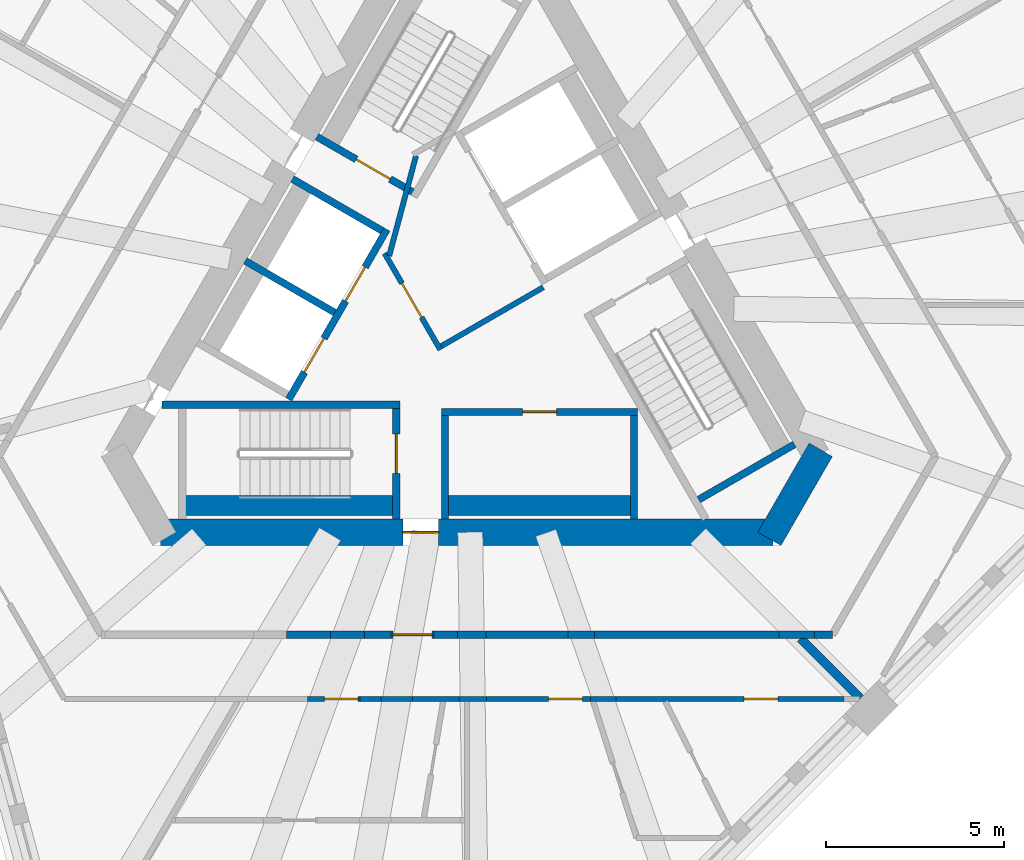
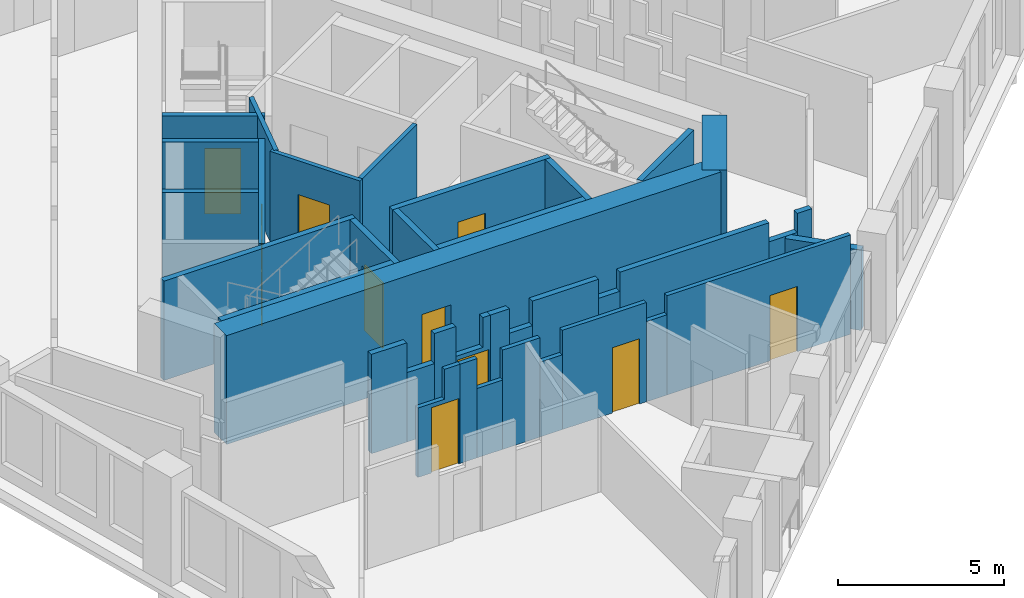
# One storey, part 4 of 13: 37 walls, 11 doors, 11 openings.
"""IFC4 building model written with IfcOpenShell, lengths in metres."""

from ifc_helpers import new_model, si_unit, direction, frame, frame_2d, origin, place, context, subcontext, project, spatial, polyline, rectangle, outline, extrude, material, layer, layer_set, type_object, element, fill, save


model = new_model("IFC4")

# Units and contexts
model_context = context("Model", 3, precision=1e-05, world=origin(), true_north=direction((0.0, 1.0)))
body_context = subcontext(model_context, "Body", "Model", "MODEL_VIEW")
ifc_project = project(units=[si_unit("LENGTHUNIT", "METRE"), si_unit("AREAUNIT", "SQUARE_METRE"), si_unit("VOLUMEUNIT", "CUBIC_METRE"), si_unit("PLANEANGLEUNIT", "RADIAN"), si_unit("MASSUNIT", "GRAM", prefix="KILO")], contexts=[model_context])

# Site, building, storey
site_placement = place(None, origin())
site = spatial("IfcSite", under=ifc_project, at=site_placement, CompositionType="ELEMENT")
building_placement = place(site_placement, origin())
building = spatial("IfcBuilding", under=site, at=building_placement, Name="Tramontana Tower", CompositionType="ELEMENT")
storey_placement = place(building_placement, frame((0.0, 0.0, 204.0)))
storey = spatial("IfcBuildingStorey", under=building, at=storey_placement, Name="L47", CompositionType="ELEMENT", Elevation=204.0)

# Wall, opening, door
ifc_material_1 = material(Name="Concrete 70 MPa", Category="concrete")
ifc_layer_1 = layer(ifc_material_1, 0.75)
ifc_layer_set_1 = layer_set([ifc_layer_1], Name="Core wall 750 70 MPa")
wall_type_1 = type_object("IfcWallType", Name="Core wall 750 70 MPa", PredefinedType="SHEAR", material=ifc_layer_set_1)
wall_1_placement = place(storey_placement, frame((-8.588134765625, -6.375, 0.0), z_axis=(0.0, 0.0, 1.0), x_axis=(1.0, 0.0, 0.0)))
wall_1 = element("IfcWall", 1, at=wall_1_placement, inside=storey, type_object=wall_type_1, Name="Core wall C3 L47", PredefinedType="SHEAR", context=body_context, shape_type="SweptSolid", body=[
    extrude(rectangle(XDim=17.17626953125, YDim=0.75, at=frame_2d((8.588134765625, 0.0))), origin(), (0.0, 0.0, 1.0), 4.0),
])
opening_1_placement = place(wall_1_placement, frame((6.793212890625, 0.0, 0.0)))
opening_1 = element("IfcOpeningElement", 2, at=opening_1_placement, cuts=wall_1, Name="Opening RG2", PredefinedType="OPENING", context=body_context, shape_type="SweptSolid", body=[
    extrude(rectangle(XDim=1.0, YDim=2.39990234375, at=frame_2d((0.5, 1.199951171875))), frame((0.0, 0.385009765625, 0.0), z_axis=(0.0, -1.0, 0.0), x_axis=(1.0, 0.0, 0.0)), (0.0, 0.0, 1.0), 0.77001953125),
])
ifc_material_2 = material(Name="Painted steel", Category="steel")
door_type_1 = type_object("IfcDoorType", Name="RING DOOR 1000", OperationType="SINGLE_SWING_LEFT", PredefinedType="DOOR", material=ifc_material_2)
door_1_placement = place(opening_1_placement, origin())
door_1 = element("IfcDoor", 3, at=door_1_placement, inside=storey, type_object=door_type_1, Name="Door RG2", OperationType="SINGLE_SWING_RIGHT", OverallHeight=2.39990234375, OverallWidth=1.0, PredefinedType="DOOR", context=body_context, shape_type="SweptSolid", body=[
    extrude(rectangle(XDim=1.0, YDim=2.39990234375, at=frame_2d((0.5, 1.199951171875))), frame((0.0, 0.02490234375, 0.0), z_axis=(0.0, -1.0, 0.0), x_axis=(1.0, 0.0, 0.0)), (0.0, 0.0, 1.0), 0.050048828125),
])
fill(opening_1, door_1)

# Walls
wall_2_placement = place(storey_placement, frame((8.479736328125, -6.5625, 0.0), z_axis=(0.0, 0.0, 1.0), x_axis=(0.499995765644, 0.866027848477, 0.0)))
element("IfcWall", 4, at=wall_2_placement, inside=storey, type_object=wall_type_1, Name="Core wall C4 L47", PredefinedType="SHEAR", context=body_context, shape_type="SweptSolid", body=[
    extrude(rectangle(XDim=2.88671875, YDim=0.75, at=frame_2d((1.443359375, 0.0))), origin(), (0.0, 0.0, 1.0), 4.0),
])
ifc_material_3 = material(Name="Blockwork", Category="masonry")
ifc_layer_2 = layer(ifc_material_3, 0.199951171875)
ifc_layer_set_2 = layer_set([ifc_layer_2], Name="ENTRY WALL 200")
wall_type_2 = type_object("IfcWallType", Name="ENTRY WALL 200", PredefinedType="SOLIDWALL", material=ifc_layer_set_2)
wall_3_placement = place(storey_placement, frame((10.248046875, -9.25, 0.0), z_axis=(0.0, 0.0, 1.0), x_axis=(-1.0, 0.0, 0.0)))
element("IfcWall", 5, at=wall_3_placement, inside=storey, type_object=wall_type_2, Name="Wall v50-ew2-0", PredefinedType="SOLIDWALL", context=body_context, shape_type="SweptSolid", body=[
    extrude(rectangle(XDim=0.503173828125, YDim=0.199951171875, at=frame_2d((0.25146484375, 0.0))), origin(), (0.0, 0.0, 1.0), 3.64990234375),
])
wall_4_placement = place(storey_placement, frame((9.744873046875, -9.25, 0.0), z_axis=(0.0, 0.0, 1.0), x_axis=(-1.0, 0.0, 0.0)))
element("IfcWall", 6, at=wall_4_placement, inside=storey, type_object=wall_type_2, Name="Wall v50-ew2-1", PredefinedType="SOLIDWALL", context=body_context, shape_type="SweptSolid", body=[
    extrude(rectangle(XDim=0.98974609375, YDim=0.199951171875, at=frame_2d((0.494873046875, 0.0))), origin(), (0.0, 0.0, 1.0), 2.949951171875),
])
wall_5_placement = place(storey_placement, frame((8.755126953125, -9.25, 0.0), z_axis=(0.0, 0.0, 1.0), x_axis=(-1.0, 0.0, 0.0)))
element("IfcWall", 7, at=wall_5_placement, inside=storey, type_object=wall_type_2, Name="Wall v50-ew2-2", PredefinedType="SOLIDWALL", context=body_context, shape_type="SweptSolid", body=[
    extrude(rectangle(XDim=5.18212890625, YDim=0.199951171875, at=frame_2d((2.591064453125, 0.0))), origin(), (0.0, 0.0, 1.0), 3.64990234375),
])
wall_6_placement = place(storey_placement, frame((3.572998046875, -9.25, 0.0), z_axis=(0.0, 0.0, 1.0), x_axis=(-1.0, 0.0, 0.0)))
element("IfcWall", 8, at=wall_6_placement, inside=storey, type_object=wall_type_2, Name="Wall v50-ew2-3", PredefinedType="SOLIDWALL", context=body_context, shape_type="SweptSolid", body=[
    extrude(rectangle(XDim=0.74072265625, YDim=0.199951171875, at=frame_2d((0.370361328125, 0.0))), origin(), (0.0, 0.0, 1.0), 2.949951171875),
])
wall_7_placement = place(storey_placement, frame((2.832275390625, -9.25, 0.0), z_axis=(0.0, 0.0, 1.0), x_axis=(-1.0, 0.0, 0.0)))
element("IfcWall", 9, at=wall_7_placement, inside=storey, type_object=wall_type_2, Name="Wall v50-ew2-4", PredefinedType="SOLIDWALL", context=body_context, shape_type="SweptSolid", body=[
    extrude(rectangle(XDim=2.29736328125, YDim=0.199951171875, at=frame_2d((1.148681640625, 0.0))), origin(), (0.0, 0.0, 1.0), 3.64990234375),
])
wall_8_placement = place(storey_placement, frame((0.534912109375, -9.25, 0.0), z_axis=(0.0, 0.0, 1.0), x_axis=(-1.0, 0.0, 0.0)))
element("IfcWall", 10, at=wall_8_placement, inside=storey, type_object=wall_type_2, Name="Wall v50-ew2-5", PredefinedType="SOLIDWALL", context=body_context, shape_type="SweptSolid", body=[
    extrude(rectangle(XDim=0.800048828125, YDim=0.199951171875, at=frame_2d((0.39990234375, 0.0))), origin(), (0.0, 0.0, 1.0), 2.75),
])
wall_9_placement = place(storey_placement, frame((-0.26513671875, -9.25, 0.0), z_axis=(0.0, 0.0, 1.0), x_axis=(-1.0, 0.0, 0.0)))
element("IfcWall", 11, at=wall_9_placement, inside=storey, type_object=wall_type_2, Name="Wall v50-ew2-6", PredefinedType="SOLIDWALL", context=body_context, shape_type="SweptSolid", body=[
    extrude(rectangle(XDim=0.656982421875, YDim=0.199951171875, at=frame_2d((0.32861328125, 0.0))), origin(), (0.0, 0.0, 1.0), 3.64990234375),
])

# Wall, opening, door
wall_10_placement = place(storey_placement, frame((-2.1220703125, -9.25, 0.0), z_axis=(0.0, 0.0, 1.0), x_axis=(1.0, 0.0, 0.0)))
wall_10 = element("IfcWall", 12, at=wall_10_placement, inside=storey, type_object=wall_type_2, Name="Wall v50-ew2-7", PredefinedType="SOLIDWALL", context=body_context, shape_type="SweptSolid", body=[
    extrude(outline(polyline([(0.0, 0.0), (1.199951171875, 0.0), (1.199951171875, 3.64990234375), (0.933349609375, 3.64990234375), (0.933349609375, 2.550048828125), (0.0, 2.550048828125), (0.0, 0.0)])), frame((0.0, 0.10009765625, 0.0), z_axis=(0.0, -1.0, 0.0), x_axis=(1.0, 0.0, 0.0)), (0.0, 0.0, 1.0), 0.199951171875),
])
opening_2_placement = place(wall_10_placement, frame((0.050048828125, 0.0, 0.0)))
opening_2 = element("IfcOpeningElement", 13, at=opening_2_placement, cuts=wall_10, Name="Opening B5A-23", PredefinedType="OPENING", context=body_context, shape_type="SweptSolid", body=[
    extrude(rectangle(XDim=1.10009765625, YDim=2.39990234375, at=frame_2d((0.550048828125, 1.199951171875))), frame((0.0, 0.10986328125, 0.0), z_axis=(0.0, -1.0, 0.0), x_axis=(1.0, 0.0, 0.0)), (0.0, 0.0, 1.0), 0.219970703125),
])
ifc_material_4 = material(Name="Painted timber", Category="wood")
door_type_2 = type_object("IfcDoorType", Name="DOOR ENTRY 1100", OperationType="SINGLE_SWING_LEFT", PredefinedType="DOOR", material=ifc_material_4)
door_2_placement = place(opening_2_placement, origin())
door_2 = element("IfcDoor", 14, at=door_2_placement, inside=storey, type_object=door_type_2, Name="Door B5A-23", OperationType="SINGLE_SWING_LEFT", OverallHeight=2.39990234375, OverallWidth=1.10009765625, PredefinedType="DOOR", context=body_context, shape_type="SweptSolid", body=[
    extrude(rectangle(XDim=1.10009765625, YDim=2.39990234375, at=frame_2d((0.550048828125, 1.199951171875))), frame((0.0, 0.02490234375, 0.0), z_axis=(0.0, -1.0, 0.0), x_axis=(1.0, 0.0, 0.0)), (0.0, 0.0, 1.0), 0.050048828125),
])
fill(opening_2, door_2)

# Walls
wall_11_placement = place(storey_placement, frame((-2.1220703125, -9.25, 0.0), z_axis=(0.0, 0.0, 1.0), x_axis=(-1.0, 0.0, 0.0)))
element("IfcWall", 15, at=wall_11_placement, inside=storey, type_object=wall_type_2, Name="Wall v50-ew2-8", PredefinedType="SOLIDWALL", context=body_context, shape_type="SweptSolid", body=[
    extrude(rectangle(XDim=0.749755859375, YDim=0.199951171875, at=frame_2d((0.375, 0.0))), origin(), (0.0, 0.0, 1.0), 3.64990234375),
])
wall_12_placement = place(storey_placement, frame((-2.871826171875, -9.25, 0.0), z_axis=(0.0, 0.0, 1.0), x_axis=(-1.0, 0.0, 0.0)))
element("IfcWall", 16, at=wall_12_placement, inside=storey, type_object=wall_type_2, Name="Wall v50-ew2-9", PredefinedType="SOLIDWALL", context=body_context, shape_type="SweptSolid", body=[
    extrude(rectangle(XDim=0.957275390625, YDim=0.199951171875, at=frame_2d((0.478515625, 0.0))), origin(), (0.0, 0.0, 1.0), 2.550048828125),
])
wall_13_placement = place(storey_placement, frame((-3.8291015625, -9.25, 0.0), z_axis=(0.0, 0.0, 1.0), x_axis=(-1.0, 0.0, 0.0)))
element("IfcWall", 17, at=wall_13_placement, inside=storey, type_object=wall_type_2, Name="Wall v50-ew2-10", PredefinedType="SOLIDWALL", context=body_context, shape_type="SweptSolid", body=[
    extrude(rectangle(XDim=1.22705078125, YDim=0.199951171875, at=frame_2d((0.613525390625, 0.0))), origin(), (0.0, 0.0, 1.0), 3.64990234375),
])

# Wall, opening, door
ifc_material_5 = material(Name="Gypsum board partition")
ifc_layer_3 = layer(ifc_material_5, 0.14990234375)
ifc_layer_set_3 = layer_set([ifc_layer_3], Name="PARTITION 150")
wall_type_3 = type_object("IfcWallType", Name="PARTITION 150", PredefinedType="PARTITIONING", material=ifc_layer_set_3)
wall_14_placement = place(storey_placement, frame((-0.744140625, -1.260986328125, 0.0), z_axis=(0.0, 0.0, 1.0), x_axis=(-0.500004234368, 0.866022959057, 0.0)))
wall_14 = element("IfcWall", 18, at=wall_14_placement, inside=storey, type_object=wall_type_3, Name="Wall ff-front", PredefinedType="PARTITIONING", context=body_context, shape_type="SweptSolid", body=[
    extrude(rectangle(XDim=3.125, YDim=0.14990234375, at=frame_2d((1.5625, 0.0))), origin(), (0.0, 0.0, 1.0), 3.64990234375),
])
opening_3_placement = place(wall_14_placement, frame((1.050048828125, 0.0, 0.0)))
opening_3 = element("IfcOpeningElement", 19, at=opening_3_placement, cuts=wall_14, Name="Opening FD1", PredefinedType="OPENING", context=body_context, shape_type="SweptSolid", body=[
    extrude(rectangle(XDim=1.10009765625, YDim=2.39990234375, at=frame_2d((0.550048828125, 1.199951171875))), frame((0.0, 0.0849609375, 0.0), z_axis=(0.0, -1.0, 0.0), x_axis=(1.0, 0.0, 0.0)), (0.0, 0.0, 1.0), 0.169921875),
])
door_3_placement = place(opening_3_placement, origin())
door_3 = element("IfcDoor", 20, at=door_3_placement, inside=storey, type_object=door_type_2, Name="Door FD1", OperationType="SINGLE_SWING_RIGHT", OverallHeight=2.39990234375, OverallWidth=1.10009765625, PredefinedType="DOOR", context=body_context, shape_type="SweptSolid", body=[
    extrude(rectangle(XDim=1.10009765625, YDim=2.39990234375, at=frame_2d((0.550048828125, 1.199951171875))), frame((0.0, 0.02490234375, 0.0), z_axis=(0.0, -1.0, 0.0), x_axis=(1.0, 0.0, 0.0)), (0.0, 0.0, 1.0), 0.050048828125),
])
fill(opening_3, door_3)

# Walls
wall_15_placement = place(storey_placement, frame((-0.716796875, -1.15869140625, 0.0), z_axis=(0.0, 0.0, 1.0), x_axis=(0.866008176907, 0.50002983664, 0.0)))
element("IfcWall", 21, at=wall_15_placement, inside=storey, type_object=wall_type_3, Name="Wall ff-end0", PredefinedType="PARTITIONING", context=body_context, shape_type="SweptSolid", body=[
    extrude(rectangle(XDim=3.300048828125, YDim=0.14990234375, at=frame_2d((1.64990234375, 0.0))), origin(), (0.0, 0.0, 1.0), 3.64990234375),
])
wall_16_placement = place(storey_placement, frame((-2.177978515625, 1.372314453125, 0.0), z_axis=(0.0, 0.0, 1.0), x_axis=(0.258808958833, 0.96592852884, 0.0)))
element("IfcWall", 22, at=wall_16_placement, inside=storey, type_object=wall_type_3, Name="Wall ff-diag", PredefinedType="PARTITIONING", context=body_context, shape_type="SweptSolid", body=[
    extrude(rectangle(XDim=2.902587890625, YDim=0.14990234375, at=frame_2d((1.451171875, 0.0))), origin(), (0.0, 0.0, 1.0), 3.64990234375),
])

# Wall, opening, door
wall_17_placement = place(storey_placement, frame((10.57275390625, -11.050048828125, 0.0), z_axis=(0.0, 0.0, 1.0), x_axis=(-1.0, 0.0, 0.0)))
wall_17 = element("IfcWall", 23, at=wall_17_placement, inside=storey, type_object=wall_type_3, Name="Wall v50-pw24-1", PredefinedType="PARTITIONING", context=body_context, shape_type="SweptSolid", body=[
    extrude(rectangle(XDim=6.3896484375, YDim=0.14990234375, at=frame_2d((3.19482421875, 0.0))), origin(), (0.0, 0.0, 1.0), 3.64990234375),
])
opening_4_placement = place(wall_17_placement, frame((1.849365234375, 0.0, 0.0)))
opening_4 = element("IfcOpeningElement", 24, at=opening_4_placement, cuts=wall_17, Name="Opening B5A-08", PredefinedType="OPENING", context=body_context, shape_type="SweptSolid", body=[
    extrude(rectangle(XDim=0.949951171875, YDim=2.39990234375, at=frame_2d((0.47509765625, 1.199951171875))), frame((0.0, 0.0849609375, 0.0), z_axis=(0.0, -1.0, 0.0), x_axis=(1.0, 0.0, 0.0)), (0.0, 0.0, 1.0), 0.169921875),
])
ifc_material_6 = material(Name="Painted timber", Category="wood")
door_type_3 = type_object("IfcDoorType", Name="DOOR ROOM 950", OperationType="SINGLE_SWING_LEFT", PredefinedType="DOOR", material=ifc_material_6)
door_4_placement = place(opening_4_placement, origin())
door_4 = element("IfcDoor", 25, at=door_4_placement, inside=storey, type_object=door_type_3, Name="Door B5A-08", OperationType="SINGLE_SWING_RIGHT", OverallHeight=2.39990234375, OverallWidth=0.949951171875, PredefinedType="DOOR", context=body_context, shape_type="SweptSolid", body=[
    extrude(rectangle(XDim=0.949951171875, YDim=2.39990234375, at=frame_2d((0.47509765625, 1.199951171875))), frame((0.0, 0.02490234375, 0.0), z_axis=(0.0, -1.0, 0.0), x_axis=(1.0, 0.0, 0.0)), (0.0, 0.0, 1.0), 0.050048828125),
])
fill(opening_4, door_4)

# Wall
wall_18_placement = place(storey_placement, frame((4.18310546875, -11.050048828125, 0.0), z_axis=(0.0, 0.0, 1.0), x_axis=(-1.0, 0.0, 0.0)))
element("IfcWall", 26, at=wall_18_placement, inside=storey, type_object=wall_type_3, Name="Wall v50-pw24-2", PredefinedType="PARTITIONING", context=body_context, shape_type="SweptSolid", body=[
    extrude(rectangle(XDim=0.71435546875, YDim=0.14990234375, at=frame_2d((0.357177734375, 0.0))), origin(), (0.0, 0.0, 1.0), 2.949951171875),
])

# Wall, opening, door
wall_19_placement = place(storey_placement, frame((3.46875, -11.050048828125, 0.0), z_axis=(0.0, 0.0, 1.0), x_axis=(-1.0, 0.0, 0.0)))
wall_19 = element("IfcWall", 27, at=wall_19_placement, inside=storey, type_object=wall_type_3, Name="Wall v50-pw24-3", PredefinedType="PARTITIONING", context=body_context, shape_type="SweptSolid", body=[
    extrude(rectangle(XDim=2.919921875, YDim=0.14990234375, at=frame_2d((1.4599609375, 0.0))), origin(), (0.0, 0.0, 1.0), 3.64990234375),
])
opening_5_placement = place(wall_19_placement, frame((0.227783203125, 0.0, 0.0)))
opening_5 = element("IfcOpeningElement", 28, at=opening_5_placement, cuts=wall_19, Name="Opening B5A-07", PredefinedType="OPENING", context=body_context, shape_type="SweptSolid", body=[
    extrude(rectangle(XDim=0.949951171875, YDim=2.39990234375, at=frame_2d((0.47509765625, 1.199951171875))), frame((0.0, 0.0849609375, 0.0), z_axis=(0.0, -1.0, 0.0), x_axis=(1.0, 0.0, 0.0)), (0.0, 0.0, 1.0), 0.169921875),
])
door_5_placement = place(opening_5_placement, origin())
door_5 = element("IfcDoor", 29, at=door_5_placement, inside=storey, type_object=door_type_3, Name="Door B5A-07", OperationType="SINGLE_SWING_LEFT", OverallHeight=2.39990234375, OverallWidth=0.949951171875, PredefinedType="DOOR", context=body_context, shape_type="SweptSolid", body=[
    extrude(rectangle(XDim=0.949951171875, YDim=2.39990234375, at=frame_2d((0.47509765625, 1.199951171875))), frame((0.0, 0.02490234375, 0.0), z_axis=(0.0, -1.0, 0.0), x_axis=(1.0, 0.0, 0.0)), (0.0, 0.0, 1.0), 0.050048828125),
])
fill(opening_5, door_5)

# Walls
wall_20_placement = place(storey_placement, frame((0.548828125, -11.050048828125, 0.0), z_axis=(0.0, 0.0, 1.0), x_axis=(-1.0, 0.0, 0.0)))
element("IfcWall", 30, at=wall_20_placement, inside=storey, type_object=wall_type_3, Name="Wall v50-pw24-4", PredefinedType="PARTITIONING", context=body_context, shape_type="SweptSolid", body=[
    extrude(rectangle(XDim=0.775146484375, YDim=0.14990234375, at=frame_2d((0.3876953125, 0.0))), origin(), (0.0, 0.0, 1.0), 2.75),
])
wall_21_placement = place(storey_placement, frame((-0.226318359375, -11.050048828125, 0.0), z_axis=(0.0, 0.0, 1.0), x_axis=(-1.0, 0.0, 0.0)))
element("IfcWall", 31, at=wall_21_placement, inside=storey, type_object=wall_type_3, Name="Wall v50-pw24-5", PredefinedType="PARTITIONING", context=body_context, shape_type="SweptSolid", body=[
    extrude(rectangle(XDim=1.29541015625, YDim=0.14990234375, at=frame_2d((0.647705078125, 0.0))), origin(), (0.0, 0.0, 1.0), 3.64990234375),
])
wall_22_placement = place(storey_placement, frame((-1.521728515625, -11.050048828125, 0.0), z_axis=(0.0, 0.0, 1.0), x_axis=(-1.0, 0.0, 0.0)))
element("IfcWall", 32, at=wall_22_placement, inside=storey, type_object=wall_type_3, Name="Wall v50-pw24-6", PredefinedType="PARTITIONING", context=body_context, shape_type="SweptSolid", body=[
    extrude(rectangle(XDim=0.888671875, YDim=0.14990234375, at=frame_2d((0.4443359375, 0.0))), origin(), (0.0, 0.0, 1.0), 2.550048828125),
])
wall_23_placement = place(storey_placement, frame((-2.410400390625, -11.050048828125, 0.0), z_axis=(0.0, 0.0, 1.0), x_axis=(-1.0, 0.0, 0.0)))
element("IfcWall", 33, at=wall_23_placement, inside=storey, type_object=wall_type_3, Name="Wall v50-pw24-7", PredefinedType="PARTITIONING", context=body_context, shape_type="SweptSolid", body=[
    extrude(rectangle(XDim=0.58544921875, YDim=0.14990234375, at=frame_2d((0.292724609375, 0.0))), origin(), (0.0, 0.0, 1.0), 3.64990234375),
])

# Wall, opening, door
wall_24_placement = place(storey_placement, frame((-2.995849609375, -11.050048828125, 0.0), z_axis=(0.0, 0.0, 1.0), x_axis=(-1.0, 0.0, 0.0)))
wall_24 = element("IfcWall", 34, at=wall_24_placement, inside=storey, type_object=wall_type_3, Name="Wall v50-pw24-8", PredefinedType="PARTITIONING", context=body_context, shape_type="SweptSolid", body=[
    extrude(outline(polyline([(0.0, 0.0), (1.471923828125, 0.0), (1.471923828125, 2.550048828125), (0.541259765625, 2.550048828125), (0.541259765625, 3.64990234375), (0.0, 3.64990234375), (0.0, 0.0)])), frame((0.0, 0.074951171875, 0.0), z_axis=(0.0, -1.0, 0.0), x_axis=(1.0, 0.0, 0.0)), (0.0, 0.0, 1.0), 0.14990234375),
])
opening_6_placement = place(wall_24_placement, frame((0.050048828125, 0.0, 0.0)))
opening_6 = element("IfcOpeningElement", 35, at=opening_6_placement, cuts=wall_24, Name="Opening B5A-05", PredefinedType="OPENING", context=body_context, shape_type="SweptSolid", body=[
    extrude(rectangle(XDim=0.949951171875, YDim=2.39990234375, at=frame_2d((0.47509765625, 1.199951171875))), frame((0.0, 0.0849609375, 0.0), z_axis=(0.0, -1.0, 0.0), x_axis=(1.0, 0.0, 0.0)), (0.0, 0.0, 1.0), 0.169921875),
])
door_6_placement = place(opening_6_placement, origin())
door_6 = element("IfcDoor", 36, at=door_6_placement, inside=storey, type_object=door_type_3, Name="Door B5A-05", OperationType="SINGLE_SWING_LEFT", OverallHeight=2.39990234375, OverallWidth=0.949951171875, PredefinedType="DOOR", context=body_context, shape_type="SweptSolid", body=[
    extrude(rectangle(XDim=0.949951171875, YDim=2.39990234375, at=frame_2d((0.47509765625, 1.199951171875))), frame((0.0, 0.02490234375, 0.0), z_axis=(0.0, -1.0, 0.0), x_axis=(1.0, 0.0, 0.0)), (0.0, 0.0, 1.0), 0.050048828125),
])
fill(opening_6, door_6)

# Walls
ifc_material_7 = material(Name="Blockwork", Category="masonry")
ifc_layer_4 = layer(ifc_material_7, 0.25)
ifc_layer_set_4 = layer_set([ifc_layer_4], Name="PARTY WALL 250")
wall_type_4 = type_object("IfcWallType", Name="PARTY WALL 250", PredefinedType="SOLIDWALL", material=ifc_layer_set_4)
wall_25_placement = place(storey_placement, frame((9.35009765625, -9.35009765625, 0.0), z_axis=(0.0, 0.0, 1.0), x_axis=(0.707106781187, -0.707106781187, 0.0)))
element("IfcWall", 37, at=wall_25_placement, inside=storey, type_object=wall_type_4, Name="Wall v50-pw19-0", PredefinedType="SOLIDWALL", context=body_context, shape_type="SweptSolid", body=[
    extrude(rectangle(XDim=2.376708984375, YDim=0.25, at=frame_2d((1.1884765625, 0.0))), origin(), (0.0, 0.0, 1.0), 2.949951171875),
])
ifc_material_8 = material(Name="Concrete 70 MPa", Category="concrete")
ifc_layer_5 = layer(ifc_material_8, 0.550048828125)
ifc_layer_set_5 = layer_set([ifc_layer_5], Name="Concrete 70 MPa, 550 mm")
wall_type_5 = type_object("IfcWallType", Name="RC SHAFT BACK WALL 550", PredefinedType="SOLIDWALL", material=ifc_layer_set_5)
wall_26_placement = place(storey_placement, frame((-8.080078125, -5.625, 0.0), z_axis=(0.0, 0.0, 1.0), x_axis=(1.0, 0.0, 0.0)))
element("IfcWall", 38, at=wall_26_placement, inside=storey, type_object=wall_type_5, Name="Wall st2-back", PredefinedType="SOLIDWALL", context=body_context, shape_type="SweptSolid", body=[
    extrude(rectangle(XDim=6.2001953125, YDim=0.550048828125, at=frame_2d((3.10009765625, 0.0))), origin(), (0.0, 0.0, 1.0), 3.64990234375),
])
wall_27_placement = place(storey_placement, frame((-0.7099609375, -5.625, 0.0), z_axis=(0.0, 0.0, 1.0), x_axis=(1.0, 0.0, 0.0)))
element("IfcWall", 39, at=wall_27_placement, inside=storey, type_object=wall_type_5, Name="Wall row1-back", PredefinedType="SOLIDWALL", context=body_context, shape_type="SweptSolid", body=[
    extrude(rectangle(XDim=5.5, YDim=0.550048828125, at=frame_2d((2.75, 0.0))), origin(), (0.0, 0.0, 1.0), 3.64990234375),
])

# Wall, opening, door
ifc_material_9 = material(Name="Concrete 70 MPa", Category="concrete")
ifc_layer_6 = layer(ifc_material_9, 0.199951171875)
ifc_layer_set_6 = layer_set([ifc_layer_6], Name="Concrete 70 MPa, 200 mm")
wall_type_6 = type_object("IfcWallType", Name="RC STAIR AND SHAFT WALL 200", PredefinedType="SOLIDWALL", material=ifc_layer_set_6)
wall_28_placement = place(storey_placement, frame((-1.521484375, 3.164794921875, 0.0), z_axis=(0.0, 0.0, 1.0), x_axis=(-0.86600983753, 0.500026960575, 0.0)))
wall_28 = element("IfcWall", 40, at=wall_28_placement, inside=storey, type_object=wall_type_6, Name="Wall st1-near", PredefinedType="SOLIDWALL", context=body_context, shape_type="SweptSolid", body=[
    extrude(rectangle(XDim=3.099853515625, YDim=0.199951171875, at=frame_2d((1.5498046875, 0.0))), origin(), (0.0, 0.0, 1.0), 3.64990234375),
])
opening_7_placement = place(wall_28_placement, frame((0.72509765625, 0.0, 0.0)))
opening_7 = element("IfcOpeningElement", 41, at=opening_7_placement, cuts=wall_28, Name="Opening SD1", PredefinedType="OPENING", context=body_context, shape_type="SweptSolid", body=[
    extrude(rectangle(XDim=1.10009765625, YDim=2.39990234375, at=frame_2d((0.550048828125, 1.199951171875))), frame((0.0, 0.10986328125, 0.0), z_axis=(0.0, -1.0, 0.0), x_axis=(1.0, 0.0, 0.0)), (0.0, 0.0, 1.0), 0.219970703125),
])
ifc_material_10 = material(Name="Painted steel", Category="steel")
door_type_4 = type_object("IfcDoorType", Name="STAIR DOOR 1100", OperationType="SINGLE_SWING_LEFT", PredefinedType="DOOR", material=ifc_material_10)
door_7_placement = place(opening_7_placement, origin())
door_7 = element("IfcDoor", 42, at=door_7_placement, inside=storey, type_object=door_type_4, Name="Door SD1", OperationType="SINGLE_SWING_RIGHT", OverallHeight=2.39990234375, OverallWidth=1.10009765625, PredefinedType="DOOR", context=body_context, shape_type="SweptSolid", body=[
    extrude(rectangle(XDim=1.10009765625, YDim=2.39990234375, at=frame_2d((0.550048828125, 1.199951171875))), frame((0.0, 0.02490234375, 0.0), z_axis=(0.0, -1.0, 0.0), x_axis=(1.0, 0.0, 0.0)), (0.0, 0.0, 1.0), 0.050048828125),
])
fill(opening_7, door_7)

# Wall
wall_29_placement = place(storey_placement, frame((-8.544677734375, -2.800048828125, 0.0), z_axis=(0.0, 0.0, 1.0), x_axis=(1.0, 0.0, 0.0)))
element("IfcWall", 43, at=wall_29_placement, inside=storey, type_object=wall_type_6, Name="Wall st2-front", PredefinedType="SOLIDWALL", context=body_context, shape_type="SweptSolid", body=[
    extrude(rectangle(XDim=6.664794921875, YDim=0.199951171875, at=frame_2d((3.33251953125, 0.0))), origin(), (0.0, 0.0, 1.0), 3.64990234375),
])

# Wall, opening, door
wall_30_placement = place(storey_placement, frame((-1.97998046875, -2.89990234375, 0.0), z_axis=(0.0, 0.0, 1.0), x_axis=(0.0, -1.0, 0.0)))
wall_30 = element("IfcWall", 44, at=wall_30_placement, inside=storey, type_object=wall_type_6, Name="Wall st2-near", PredefinedType="SOLIDWALL", context=body_context, shape_type="SweptSolid", body=[
    extrude(rectangle(XDim=3.10009765625, YDim=0.199951171875, at=frame_2d((1.550048828125, 0.0))), origin(), (0.0, 0.0, 1.0), 3.64990234375),
])
opening_8_placement = place(wall_30_placement, frame((0.72509765625, 0.0, 0.0)))
opening_8 = element("IfcOpeningElement", 45, at=opening_8_placement, cuts=wall_30, Name="Opening SD2", PredefinedType="OPENING", context=body_context, shape_type="SweptSolid", body=[
    extrude(rectangle(XDim=1.10009765625, YDim=2.39990234375, at=frame_2d((0.550048828125, 1.199951171875))), frame((0.0, 0.10986328125, 0.0), z_axis=(0.0, -1.0, 0.0), x_axis=(1.0, 0.0, 0.0)), (0.0, 0.0, 1.0), 0.219970703125),
])
door_8_placement = place(opening_8_placement, origin())
door_8 = element("IfcDoor", 46, at=door_8_placement, inside=storey, type_object=door_type_4, Name="Door SD2", OperationType="SINGLE_SWING_LEFT", OverallHeight=2.39990234375, OverallWidth=1.10009765625, PredefinedType="DOOR", context=body_context, shape_type="SweptSolid", body=[
    extrude(rectangle(XDim=1.10009765625, YDim=2.39990234375, at=frame_2d((0.550048828125, 1.199951171875))), frame((0.0, 0.02490234375, 0.0), z_axis=(0.0, -1.0, 0.0), x_axis=(1.0, 0.0, 0.0)), (0.0, 0.0, 1.0), 0.050048828125),
])
fill(opening_8, door_8)

# Wall
wall_31_placement = place(storey_placement, frame((6.50146484375, -5.4609375, 0.0), z_axis=(0.0, 0.0, 1.0), x_axis=(0.86600983753, 0.500026960575, 0.0)))
element("IfcWall", 47, at=wall_31_placement, inside=storey, type_object=wall_type_6, Name="Wall st3-far", PredefinedType="SOLIDWALL", context=body_context, shape_type="SweptSolid", body=[
    extrude(rectangle(XDim=3.099853515625, YDim=0.199951171875, at=frame_2d((1.5498046875, 0.0))), origin(), (0.0, 0.0, 1.0), 3.64990234375),
])

# Wall, openings, doors
wall_32_placement = place(storey_placement, frame((-2.2431640625, 2.114990234375, 0.0), z_axis=(0.0, 0.0, 1.0), x_axis=(-0.499996545922, -0.866027397988, 0.0)))
wall_32 = element("IfcWall", 48, at=wall_32_placement, inside=storey, type_object=wall_type_6, Name="Wall row0-front", PredefinedType="SOLIDWALL", context=body_context, shape_type="SweptSolid", body=[
    extrude(rectangle(XDim=5.5, YDim=0.199951171875, at=frame_2d((2.75, 0.0))), origin(), (0.0, 0.0, 1.0), 3.64990234375),
])
opening_9_placement = place(wall_32_placement, frame((1.219970703125, 0.0, 0.0)))
opening_9 = element("IfcOpeningElement", 49, at=opening_9_placement, cuts=wall_32, Name="Opening LD-P1", PredefinedType="OPENING", context=body_context, shape_type="SweptSolid", body=[
    extrude(rectangle(XDim=1.10009765625, YDim=2.10009765625, at=frame_2d((0.550048828125, 1.050048828125))), frame((0.0, 0.10986328125, 0.0), z_axis=(0.0, -1.0, 0.0), x_axis=(1.0, 0.0, 0.0)), (0.0, 0.0, 1.0), 0.219970703125),
])
opening_10_placement = place(wall_32_placement, frame((3.52490234375, 0.0, 0.0)))
opening_10 = element("IfcOpeningElement", 50, at=opening_10_placement, cuts=wall_32, Name="Opening LD-P2", PredefinedType="OPENING", context=body_context, shape_type="SweptSolid", body=[
    extrude(rectangle(XDim=1.10009765625, YDim=2.10009765625, at=frame_2d((0.550048828125, 1.050048828125))), frame((0.0, 0.10986328125, 0.0), z_axis=(0.0, -1.0, 0.0), x_axis=(1.0, 0.0, 0.0)), (0.0, 0.0, 1.0), 0.219970703125),
])
ifc_material_11 = material(Name="Brushed steel", Category="steel")
door_type_5 = type_object("IfcDoorType", Name="LANDING DOOR 1100", OperationType="SINGLE_SWING_LEFT", PredefinedType="DOOR", material=ifc_material_11)
door_9_placement = place(opening_9_placement, origin())
door_9 = element("IfcDoor", 51, at=door_9_placement, inside=storey, type_object=door_type_5, Name="Door LD-P1", OperationType="SLIDING_TO_LEFT", OverallHeight=2.10009765625, OverallWidth=1.10009765625, PredefinedType="DOOR", context=body_context, shape_type="SweptSolid", body=[
    extrude(rectangle(XDim=1.10009765625, YDim=2.10009765625, at=frame_2d((0.550048828125, 1.050048828125))), frame((0.0, 0.02490234375, 0.0), z_axis=(0.0, -1.0, 0.0), x_axis=(1.0, 0.0, 0.0)), (0.0, 0.0, 1.0), 0.050048828125),
])
fill(opening_9, door_9)
door_10_placement = place(opening_10_placement, origin())
door_10 = element("IfcDoor", 52, at=door_10_placement, inside=storey, type_object=door_type_5, Name="Door LD-P2", OperationType="SLIDING_TO_RIGHT", OverallHeight=2.10009765625, OverallWidth=1.10009765625, PredefinedType="DOOR", context=body_context, shape_type="SweptSolid", body=[
    extrude(rectangle(XDim=1.10009765625, YDim=2.10009765625, at=frame_2d((0.550048828125, 1.050048828125))), frame((0.0, 0.02490234375, 0.0), z_axis=(0.0, -1.0, 0.0), x_axis=(1.0, 0.0, 0.0)), (0.0, 0.0, 1.0), 0.050048828125),
])
fill(opening_10, door_10)

# Walls
wall_33_placement = place(storey_placement, frame((-2.379638671875, 2.078369140625, 0.0), z_axis=(0.0, 0.0, 1.0), x_axis=(-0.866032775405, 0.499987231761, 0.0)))
element("IfcWall", 53, at=wall_33_placement, inside=storey, type_object=wall_type_6, Name="Wall row0-side0", PredefinedType="SOLIDWALL", context=body_context, shape_type="SweptSolid", body=[
    extrude(rectangle(XDim=2.89990234375, YDim=0.199951171875, at=frame_2d((1.449951171875, 0.0))), origin(), (0.0, 0.0, 1.0), 3.64990234375),
])
wall_34_placement = place(storey_placement, frame((-3.70458984375, -0.216796875, 0.0), z_axis=(0.0, 0.0, 1.0), x_axis=(-0.865996321171, 0.50005036918, 0.0)))
element("IfcWall", 54, at=wall_34_placement, inside=storey, type_object=wall_type_6, Name="Wall row0-side1", PredefinedType="SOLIDWALL", context=body_context, shape_type="SweptSolid", body=[
    extrude(rectangle(XDim=2.900146484375, YDim=0.199951171875, at=frame_2d((1.4501953125, 0.0))), origin(), (0.0, 0.0, 1.0), 3.64990234375),
])

# Wall, opening, door
wall_35_placement = place(storey_placement, frame((4.7900390625, -3.0, 0.0), z_axis=(0.0, 0.0, 1.0), x_axis=(-1.0, 0.0, 0.0)))
wall_35 = element("IfcWall", 55, at=wall_35_placement, inside=storey, type_object=wall_type_6, Name="Wall row1-front", PredefinedType="SOLIDWALL", context=body_context, shape_type="SweptSolid", body=[
    extrude(rectangle(XDim=5.5, YDim=0.199951171875, at=frame_2d((2.75, 0.0))), origin(), (0.0, 0.0, 1.0), 3.64990234375),
])
opening_11_placement = place(wall_35_placement, frame((2.27490234375, 0.0, 0.0)))
opening_11 = element("IfcOpeningElement", 56, at=opening_11_placement, cuts=wall_35, Name="Opening RD-1", PredefinedType="OPENING", context=body_context, shape_type="SweptSolid", body=[
    extrude(rectangle(XDim=0.949951171875, YDim=2.39990234375, at=frame_2d((0.47509765625, 1.199951171875))), frame((0.0, 0.10986328125, 0.0), z_axis=(0.0, -1.0, 0.0), x_axis=(1.0, 0.0, 0.0)), (0.0, 0.0, 1.0), 0.219970703125),
])
door_11_placement = place(opening_11_placement, origin())
door_11 = element("IfcDoor", 57, at=door_11_placement, inside=storey, type_object=door_type_3, Name="Door RD-1", OperationType="SINGLE_SWING_LEFT", OverallHeight=2.39990234375, OverallWidth=0.949951171875, PredefinedType="DOOR", context=body_context, shape_type="SweptSolid", body=[
    extrude(rectangle(XDim=0.949951171875, YDim=2.39990234375, at=frame_2d((0.47509765625, 1.199951171875))), frame((0.0, 0.02490234375, 0.0), z_axis=(0.0, -1.0, 0.0), x_axis=(1.0, 0.0, 0.0)), (0.0, 0.0, 1.0), 0.050048828125),
])
fill(opening_11, door_11)

# Walls
for number, where, z_axis, x_axis, name in (
    (58, (-0.610107421875, -3.10009765625, 0.0), (0.0, 0.0, 1.0), (0.0, -1.0, 0.0), "Wall row1-side0"),
    (59, (4.68994140625, -3.10009765625, 0.0), (0.0, 0.0, 1.0), (0.0, -1.0, 0.0), "Wall row1-side2"),
):
    element("IfcWall", number, at=place(storey_placement, frame(where, z_axis=z_axis, x_axis=x_axis)), inside=storey, type_object=wall_type_6, Name=name, PredefinedType="SOLIDWALL", context=body_context, shape_type="SweptSolid", body=[
        extrude(rectangle(XDim=2.89990234375, YDim=0.199951171875, at=frame_2d((1.449951171875, 0.0))), origin(), (0.0, 0.0, 1.0), 3.64990234375),
    ])

save(model, "model.ifc")
